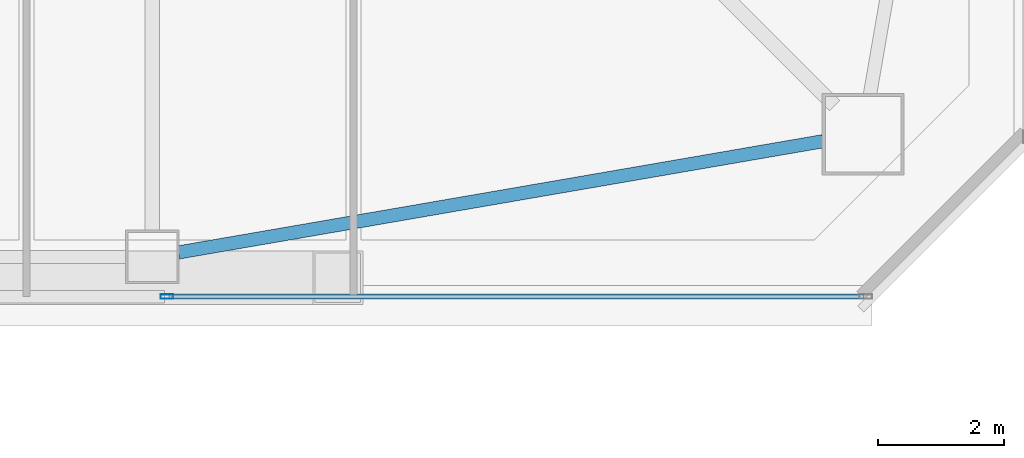
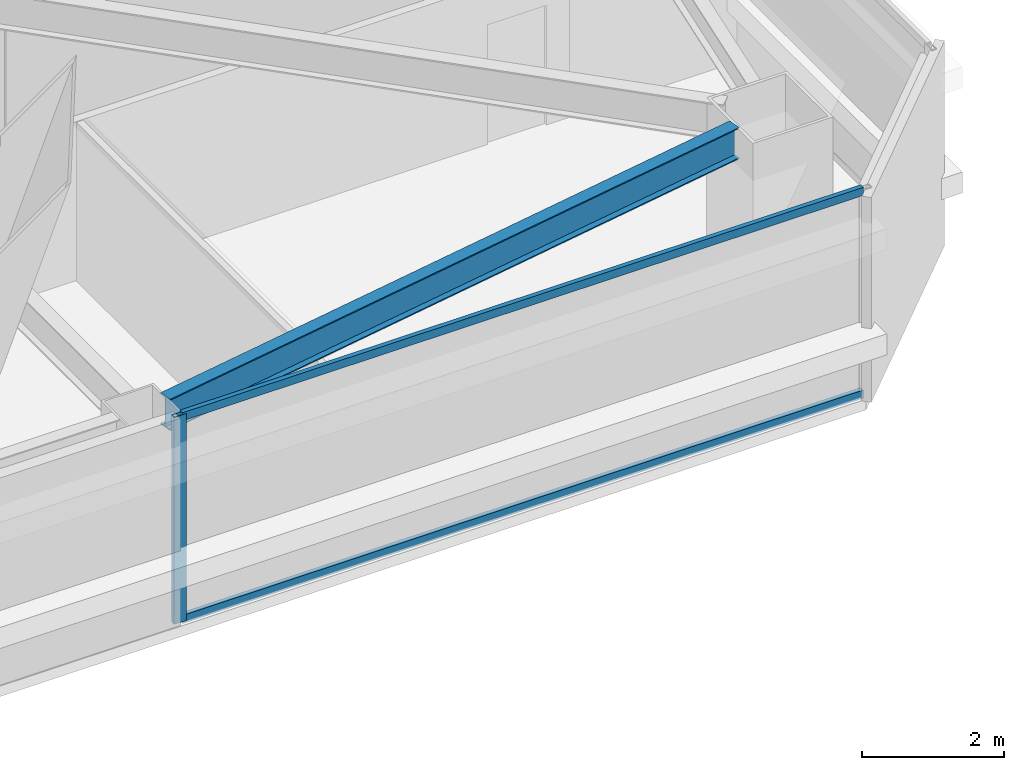
# One storey, part 5 of 50: 3 members, 1 beam, 1 element without a shape of its own.
"""IFC4 building model written with IfcOpenShell, lengths in metres."""

import ifcopenshell
import ifcopenshell.guid

model = None  # the IFC model being written
_history = None  # IfcOwnerHistory: only IFC2X3 demands one
_inside = {}  # id of a spatial element -> (the spatial element, [elements in it])
_under = {}  # id of a project, library or spatial element -> (it, [spatial elements below it])
_declared = {}  # id of a project -> (the project, [libraries it declares])
_typed = {}  # id of a type object -> (the type object, [elements of that type])
_made_of = {}  # id of a material, layer set ... -> (it, [elements and type objects made of it])


def new_model(schema):
    """Start an empty IFC model of exactly this schema.

    Asked for "IFC4X3", IfcOpenShell would pick the latest addendum, in which some entities
    have other attributes; the version numbers below select the first issue.
    IFC2X3 requires an IfcOwnerHistory on every rooted entity: one is made here for all.
    """
    global model, _history
    if schema == "IFC4X3":
        model = ifcopenshell.file(schema_version=(4, 3, 0, 0))
    else:
        model = ifcopenshell.file(schema=schema)
    _inside.clear()
    _under.clear()
    _declared.clear()
    _typed.clear()
    _made_of.clear()
    _history = None
    if model.schema == "IFC2X3":
        org = make("IfcOrganization", Name="unknown")
        user = make(
            "IfcPersonAndOrganization",
            ThePerson=make("IfcPerson", FamilyName="unknown"),
            TheOrganization=org,
        )
        app = make(
            "IfcApplication",
            ApplicationDeveloper=org,
            Version="unknown",
            ApplicationFullName="unknown",
            ApplicationIdentifier="unknown",
        )
        _history = make(
            "IfcOwnerHistory",
            OwningUser=user,
            OwningApplication=app,
            ChangeAction="ADDED",
            CreationDate=0,
        )
    return model


def make(cls, **values):
    """One entity of the class cls with the attributes given. An attribute that is None is left unset."""
    return model.create_entity(
        cls, **{name: value for name, value in values.items() if value is not None}
    )


def rooted(cls, **values):
    """An entity with a GlobalId (a new one), such as an element, a storey or a relation."""
    return make(cls, GlobalId=ifcopenshell.guid.new(), OwnerHistory=_history, **values)


def si_unit(unit_type, name, prefix=None):
    """IfcSIUnit, for example si_unit("LENGTHUNIT", "METRE", prefix="MILLI")."""
    return make("IfcSIUnit", UnitType=unit_type, Prefix=prefix, Name=name)


def assignment(units):
    """IfcUnitAssignment: the units of a project."""
    return None if units is None else make("IfcUnitAssignment", Units=units)


def point(xyz):
    """IfcCartesianPoint."""
    return None if xyz is None else make("IfcCartesianPoint", Coordinates=xyz)


def direction(xyz):
    """IfcDirection."""
    return None if xyz is None else make("IfcDirection", DirectionRatios=xyz)


def frame(location, z_axis=None, x_axis=None):
    """IfcAxis2Placement3D, a coordinate frame: its origin and axes. An axis left out is left unset."""
    return make(
        "IfcAxis2Placement3D",
        Location=point(location),
        Axis=direction(z_axis),
        RefDirection=direction(x_axis),
    )


def frame_2d(location, x_axis=None):
    """IfcAxis2Placement2D, a coordinate frame in the plane: its origin and x axis."""
    return make(
        "IfcAxis2Placement2D", Location=point(location), RefDirection=direction(x_axis)
    )


def origin():
    """The frame at (0, 0, 0) with its axes left unset."""
    return frame((0.0, 0.0, 0.0))


def origin_2d():
    """The frame at (0, 0) in the plane with its x axis left unset."""
    return frame_2d((0.0, 0.0))


def place(relative_to, where):
    """IfcLocalPlacement: puts the frame where relative to a parent placement (None: the world)."""
    return make(
        "IfcLocalPlacement", PlacementRelTo=relative_to, RelativePlacement=where
    )


def context(
    kind, dimensions, precision=None, world=None, true_north=None, identifier=None
):
    """IfcGeometricRepresentationContext, for example the 3D "Model" context."""
    return make(
        "IfcGeometricRepresentationContext",
        ContextIdentifier=identifier,
        ContextType=kind,
        CoordinateSpaceDimension=dimensions,
        Precision=precision,
        WorldCoordinateSystem=world,
        TrueNorth=true_north,
    )


def subcontext(parent, identifier, kind, view, scale=None):
    """IfcGeometricRepresentationSubContext, for example "Body" below "Model"."""
    return make(
        "IfcGeometricRepresentationSubContext",
        ContextIdentifier=identifier,
        ContextType=kind,
        ParentContext=parent,
        TargetScale=scale,
        TargetView=view,
    )


def project(units=None, contexts=None):
    """IfcProject with its units and contexts."""
    return rooted(
        "IfcProject",
        Name="project",
        RepresentationContexts=contexts,
        UnitsInContext=assignment(units),
    )


def spatial(cls, under=None, at=None, **own):
    """A site, building, storey or space (cls), placed at a placement, below another one or the project."""
    s = rooted(cls, ObjectPlacement=at, **own)
    if under is not None:
        _under.setdefault(under.id(), (under, []))[1].append(s)
    return s


def profile(cls, at=None, kind="AREA", **sizes):
    """A parametric profile (cls). Its sizes go by their IFC names, for example OverallWidth=200.0."""
    return make(cls, ProfileType=kind, Position=at, **sizes)


def hollow_rectangle(**sizes):
    """IfcRectangleHollowProfileDef."""
    return profile("IfcRectangleHollowProfileDef", **sizes)


def i_section(**sizes):
    """IfcIShapeProfileDef."""
    return profile("IfcIShapeProfileDef", **sizes)


def extrude(swept, where, along, depth):
    """IfcExtrudedAreaSolid: the profile swept, set in the frame where, extruded along a direction by depth."""
    return make(
        "IfcExtrudedAreaSolid",
        SweptArea=swept,
        Position=where,
        ExtrudedDirection=direction(along),
        Depth=depth,
    )


def shape(context_of_items, identifier, shape_type, items):
    """IfcShapeRepresentation: the items that make up one representation, for example the "Body"."""
    return make(
        "IfcShapeRepresentation",
        ContextOfItems=context_of_items,
        RepresentationIdentifier=identifier,
        RepresentationType=shape_type,
        Items=items,
    )


def material(Name=None, Category=None):
    """IfcMaterial."""
    return make("IfcMaterial", Name=Name, Category=Category)


def material_profile(
    of_material, cross_section, Name=None, Category=None, Priority=None
):
    """IfcMaterialProfile: a cross section and its material."""
    return make(
        "IfcMaterialProfile",
        Name=Name,
        Material=of_material,
        Profile=cross_section,
        Priority=Priority,
        Category=Category,
    )


def profile_set(profiles, Name=None, composite=None):
    """IfcMaterialProfileSet."""
    return make(
        "IfcMaterialProfileSet",
        Name=Name,
        MaterialProfiles=profiles,
        CompositeProfile=composite,
    )


def made_of(thing, what):
    """Note that an element or type object is made of a material, layer set ...; save() writes the relation."""
    if what is not None:
        _made_of.setdefault(what.id(), (what, []))[1].append(thing)
    return thing


def type_object(cls, material=None, **own):
    """A type object (cls), such as IfcWallType, which elements share."""
    return made_of(rooted(cls, **own), material)


def element(
    cls,
    number,
    at=None,
    inside=None,
    cuts=None,
    type_object=None,
    material=None,
    context=None,
    identifier="Body",
    shape_type=None,
    held_by="IfcProductDefinitionShape",
    body=None,
    shapes=None,
    **own,
):
    """One element of the class cls, such as IfcWall. Its Tag is "e" and its number.

    at: its placement. inside: the storey or other place that contains it. cuts: it is an
    opening in that element (IfcRelVoidsElement). A single representation is given by context,
    identifier, shape_type and body (its items); several are given by shapes. held_by: the class
    of the entity that holds the representations. save() writes the other relations.
    """
    e = rooted(cls, Tag="e%d" % number, ObjectPlacement=at, **own)
    if body is not None:
        shapes = [shape(context, identifier, shape_type, body)]
    if shapes is not None:
        e.Representation = make(held_by, Representations=shapes)
    if inside is not None:
        _inside.setdefault(inside.id(), (inside, []))[1].append(e)
    if cuts is not None:
        rooted(
            "IfcRelVoidsElement", RelatingBuildingElement=cuts, RelatedOpeningElement=e
        )
    if type_object is not None:
        _typed.setdefault(type_object.id(), (type_object, []))[1].append(e)
    return made_of(e, material)


def aggregate(whole, parts):
    """IfcRelAggregates: a whole, such as a stair, and the parts it consists of."""
    return rooted("IfcRelAggregates", RelatingObject=whole, RelatedObjects=parts)


def save(model, path):
    """Write the relations noted so far, then the file.

    IfcRelAggregates (storeys below a building ...), IfcRelContainedInSpatialStructure (elements
    in a storey), IfcRelDefinesByType, IfcRelAssociatesMaterial and IfcRelDeclares: one each for
    every whole, place, type object, material and project.
    """
    for whole, parts in _under.values():
        aggregate(whole, parts)
    for where, things in _inside.values():
        rooted(
            "IfcRelContainedInSpatialStructure",
            RelatedElements=things,
            RelatingStructure=where,
        )
    for kind, things in _typed.values():
        rooted("IfcRelDefinesByType", RelatedObjects=things, RelatingType=kind)
    for what, things in _made_of.values():
        rooted("IfcRelAssociatesMaterial", RelatedObjects=things, RelatingMaterial=what)
    for by, libraries in _declared.values():
        rooted("IfcRelDeclares", RelatingContext=by, RelatedDefinitions=libraries)
    model.write(path)


model = new_model("IFC4")

# Units and contexts
model_context = context("Model", 3, precision=1e-05, world=origin(), true_north=direction((0.0, 1.0)))
body_context = subcontext(model_context, "Body", "Model", "MODEL_VIEW")
ifc_project = project(units=[si_unit("LENGTHUNIT", "METRE"), si_unit("AREAUNIT", "SQUARE_METRE"), si_unit("VOLUMEUNIT", "CUBIC_METRE"), si_unit("PLANEANGLEUNIT", "RADIAN"), si_unit("MASSUNIT", "GRAM", prefix="KILO")], contexts=[model_context])

# Site, building, storey
site_placement = place(None, origin())
site = spatial("IfcSite", under=ifc_project, at=site_placement, CompositionType="ELEMENT")
building_placement = place(site_placement, origin())
building = spatial("IfcBuilding", under=site, at=building_placement, Name="Tashvorn Skyway Center", CompositionType="ELEMENT")
storey_placement = place(building_placement, frame((0.0, 0.0, 114.39990234375)))
storey = spatial("IfcBuildingStorey", under=building, at=storey_placement, Name="L30", CompositionType="ELEMENT", Elevation=114.39990234375)

# Beam
ifc_material_1 = material(Name="Steel ASTM A992 Grade 50", Category="steel")
ifc_material_profile_1 = material_profile(ifc_material_1, i_section(OverallWidth=0.2109375, OverallDepth=0.5390625, WebThickness=0.01171875, FlangeThickness=0.018798828125, at=origin_2d()), Name="W21X73")
ifc_profile_set_1 = profile_set([ifc_material_profile_1], Name="Steel ASTM A992 Grade 50")
beam_type = type_object("IfcBeamType", Name="BM-SPANDREL-W21X73", PredefinedType="SPANDREL", material=ifc_profile_set_1)
beam_placement = place(storey_placement, frame((47.81396484375, 13.42138671875, 3.1005859375), z_axis=(0.985432458462, 0.170067250846, 0.0), x_axis=(-0.170067250846, 0.985432458462, 0.0)))
element("IfcBeam", 1, at=beam_placement, inside=storey, type_object=beam_type, Name="Tower 1 L30 Spandrel Beam 03", PredefinedType="SPANDREL", context=body_context, shape_type="SweptSolid", body=[
    extrude(i_section(OverallWidth=0.2109375, OverallDepth=0.5390625, WebThickness=0.01171875, FlangeThickness=0.018798828125, at=origin_2d()), origin(), (0.0, 0.0, 1.0), 10.402099609375),
])

# Curtain wall, members
ifc_material_2 = material(Name="Thermally broken bronze-anodized aluminium 6063-T6", Category="aluminium")
curtain_wall_type = type_object("IfcCurtainWallType", Name="CW-CW-Z3", PredefinedType="NOTDEFINED", material=ifc_material_2)
curtain_wall_placement = place(storey_placement, origin())
curtain_wall = element("IfcCurtainWall", 2, at=curtain_wall_placement, inside=storey, type_object=curtain_wall_type, Name="Tower 1 L30 South Unitised Curtain Wall Glazing Group 1", PredefinedType="NOTDEFINED")
ifc_material_profile_2 = material_profile(ifc_material_2, hollow_rectangle(XDim=0.074951171875, YDim=0.199951171875, WallThickness=0.00439453125, at=origin_2d()), Name="ALU-MULL-75x200")
ifc_profile_set_2 = profile_set([ifc_material_profile_2], Name="Thermally broken bronze-anodized aluminium 6063-T6")
member_type_1 = type_object("IfcMemberType", Name="CWM-CW-Z3", PredefinedType="MULLION", material=ifc_profile_set_2)
member_1_placement = place(storey_placement, frame((47.630859375, 12.719970703125, 0.0), z_axis=(0.0, 0.0, 1.0), x_axis=(0.0, -1.0, 0.0)))
member_1 = element("IfcMember", 3, at=member_1_placement, type_object=member_type_1, Name="CW-Z3 mullion 2", PredefinedType="MULLION", context=body_context, shape_type="SweptSolid", body=[
    extrude(hollow_rectangle(XDim=0.074951171875, YDim=0.199951171875, WallThickness=0.00439453125, at=origin_2d()), origin(), (0.0, 0.0, 1.0), 3.550048828125),
])
ifc_material_profile_3 = material_profile(ifc_material_2, hollow_rectangle(XDim=0.074951171875, YDim=0.139892578125, WallThickness=0.004150390625, at=origin_2d()), Name="ALU-TRAN-75x140")
ifc_profile_set_3 = profile_set([ifc_material_profile_3], Name="Thermally broken bronze-anodized aluminium 6063-T6")
member_type_2 = type_object("IfcMemberType", Name="CWT-CW-Z3", PredefinedType="USERDEFINED", material=ifc_profile_set_3)
member_2_placement = place(storey_placement, frame((58.705078125, 12.719970703125, 0.03759765625), z_axis=(-1.0, 0.0, 0.0), x_axis=(0.0, -1.0, 0.0)))
member_2 = element("IfcMember", 4, at=member_2_placement, type_object=member_type_2, Name="CW-Z3 transom 1.1", ObjectType="TRANSOM", PredefinedType="USERDEFINED", context=body_context, shape_type="SweptSolid", body=[
    extrude(hollow_rectangle(XDim=0.074951171875, YDim=0.139892578125, WallThickness=0.004150390625, at=origin_2d()), origin(), (0.0, 0.0, 1.0), 11.036865234375),
])
member_3_placement = place(storey_placement, frame((58.705078125, 12.719970703125, 3.5126953125), z_axis=(-1.0, 0.0, 0.0), x_axis=(0.0, -1.0, 0.0)))
member_3 = element("IfcMember", 5, at=member_3_placement, type_object=member_type_2, Name="CW-Z3 transom 1.2", ObjectType="TRANSOM", PredefinedType="USERDEFINED", context=body_context, shape_type="SweptSolid", body=[
    extrude(hollow_rectangle(XDim=0.074951171875, YDim=0.139892578125, WallThickness=0.004150390625, at=origin_2d()), origin(), (0.0, 0.0, 1.0), 11.036865234375),
])
aggregate(curtain_wall, [member_1, member_2, member_3])

save(model, "model.ifc")
